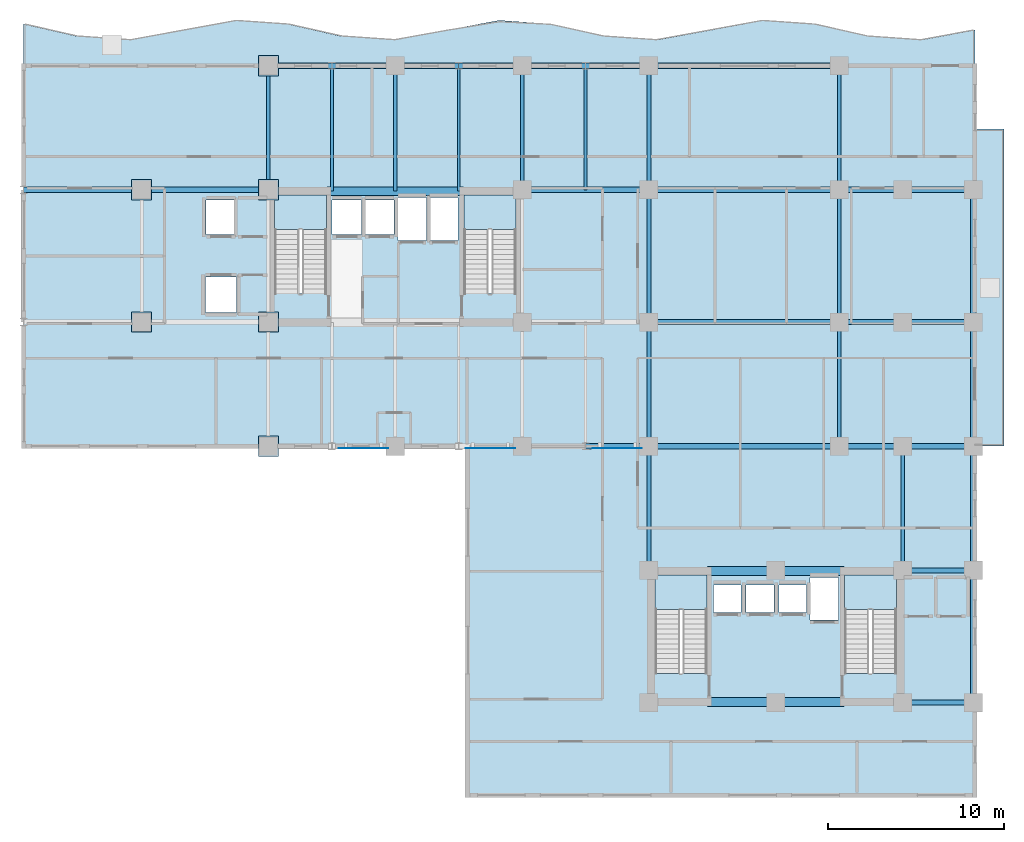
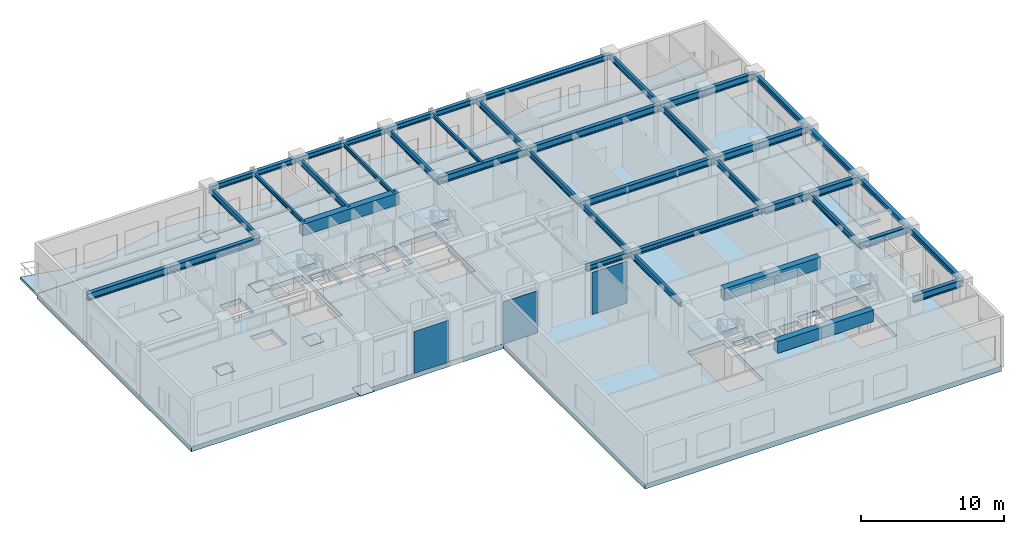
# One storey, part 3 of 14: 43 beams, 9 plates, 7 slabs, 4 elements without a shape of their own.
"""IFC4 building model written with IfcOpenShell, lengths in metres."""

from ifc_helpers import new_model, si_unit, direction, frame, origin, origin_2d, place, context, subcontext, project, spatial, polyline, rectangle, i_section, outline, extrude, source, transform, mapped, material, layer, layer_set, material_profile, profile_set, type_object, element, aggregate, save


model = new_model("IFC4")

# Units and contexts
model_context = context("Model", 3, precision=1e-05, world=origin(), true_north=direction((0.0, 1.0)))
body_context = subcontext(model_context, "Body", "Model", "MODEL_VIEW")
ifc_project = project(units=[si_unit("LENGTHUNIT", "METRE"), si_unit("AREAUNIT", "SQUARE_METRE"), si_unit("VOLUMEUNIT", "CUBIC_METRE"), si_unit("PLANEANGLEUNIT", "RADIAN"), si_unit("MASSUNIT", "GRAM", prefix="KILO")], contexts=[model_context])

# Site, building, storey
site_placement = place(None, origin())
site = spatial("IfcSite", under=ifc_project, at=site_placement, CompositionType="ELEMENT")
building_placement = place(site_placement, origin())
building = spatial("IfcBuilding", under=site, at=building_placement, Name="Kaliganga Portal Commons", CompositionType="ELEMENT")
storey_placement = place(building_placement, frame((0.0, 0.0, 135.60009765625)))
storey = spatial("IfcBuildingStorey", under=building, at=storey_placement, Name="L34", CompositionType="ELEMENT", Elevation=135.60009765625)

# Beams
ifc_material_1 = material(Name="Concrete C50/60", Category="concrete")
ifc_material_profile_1 = material_profile(ifc_material_1, rectangle(XDim=0.5, YDim=1.0, at=origin_2d()), Name="RC 500x1000")
ifc_profile_set_1 = profile_set([ifc_material_profile_1], Name="Concrete C50/60")
beam_type_1 = type_object("IfcBeamType", Name="BM-CPL-1000", PredefinedType="LINTEL", material=ifc_profile_set_1)
shared_shape_1 = source(origin(), body_context, "Body", "SweptSolid", [
    extrude(rectangle(XDim=0.5, YDim=1.0, at=origin_2d()), origin(), (0.0, 0.0, 1.0), 7.739990234375),
])
for number, where, z_axis, x_axis, name in (
    (1, (17.72998046875, 36.074951171875, 3.85986328125), (1.0, 0.0, 0.0), (0.0, 1.0, 0.0), "BM CPL COREA L34 N"),
    (2, (39.330078125, 7.074951171875, 3.85986328125), (1.0, 0.0, 0.0), (0.0, 1.0, 0.0), "BM CPL COREB L34 S"),
    (3, (39.330078125, 14.52490234375, 3.85986328125), (1.0, 0.0, 0.0), (0.0, 1.0, 0.0), "BM CPL COREB L34 N"),
):
    element("IfcBeam", number, at=place(storey_placement, frame(where, z_axis=z_axis, x_axis=x_axis)), inside=storey, type_object=beam_type_1, Name=name, PredefinedType="LINTEL", context=body_context, shape_type="MappedRepresentation", body=[
        mapped(shared_shape_1, transform((0.0, 0.0, 0.0), x_axis=(1.0, 0.0, 0.0), y_axis=(0.0, 1.0, 0.0), z_axis=(0.0, 0.0, 1.0), scale=1.0)),
    ])
ifc_material_2 = material(Name="Structural steel S355J2", Category="steel")
ifc_material_profile_2 = material_profile(ifc_material_2, i_section(OverallWidth=0.199951171875, OverallDepth=0.5, WebThickness=0.01025390625, FlangeThickness=0.01611328125, FilletRadius=0.02099609375, at=origin_2d()), Name="IPE 500")
ifc_profile_set_2 = profile_set([ifc_material_profile_2], Name="Structural steel S355J2 wide-flange")
beam_type_2 = type_object("IfcBeamType", Name="BM-FLR-500", PredefinedType="BEAM", material=ifc_profile_set_2)
shared_shape_2 = source(origin(), body_context, "Body", "SweptSolid", [
    extrude(i_section(OverallWidth=0.199951171875, OverallDepth=0.5, WebThickness=0.01025390625, FlangeThickness=0.01611328125, FilletRadius=0.02099609375, at=origin_2d()), origin(), (0.0, 0.0, 1.0), 7.5),
])
for number, where, z_axis, x_axis, name in (
    (4, (36.0, 28.64990234375, 4.10986328125), (0.0, 1.0, 0.0), (-1.0, 0.0, 0.0), "BM G L34 AM360"),
    (5, (46.800048828125, 28.64990234375, 4.10986328125), (0.0, 1.0, 0.0), (-1.0, 0.0, 0.0), "BM G L34 AM468"),
):
    element("IfcBeam", number, at=place(storey_placement, frame(where, z_axis=z_axis, x_axis=x_axis)), inside=storey, type_object=beam_type_2, Name=name, PredefinedType="BEAM", context=body_context, shape_type="MappedRepresentation", body=[
        mapped(shared_shape_2, transform((0.0, 0.0, 0.0), x_axis=(1.0, 0.0, 0.0), y_axis=(0.0, 1.0, 0.0), z_axis=(0.0, 0.0, 1.0), scale=1.0)),
    ])
shared_shape_3 = source(origin(), body_context, "Body", "SweptSolid", [
    extrude(i_section(OverallWidth=0.199951171875, OverallDepth=0.5, WebThickness=0.01025390625, FlangeThickness=0.01611328125, FilletRadius=0.02099609375, at=origin_2d()), origin(), (0.0, 0.0, 1.0), 7.050048828125),
])
for number, where, z_axis, x_axis, name in (
    (6, (14.39990234375, 36.14990234375, 4.10986328125), (0.0, 1.0, 0.0), (-1.0, 0.0, 0.0), "BM G L34 AN144"),
    (7, (28.800048828125, 36.14990234375, 4.10986328125), (0.0, 1.0, 0.0), (-1.0, 0.0, 0.0), "BM G L34 AN288"),
    (8, (36.0, 36.14990234375, 4.10986328125), (0.0, 1.0, 0.0), (-1.0, 0.0, 0.0), "BM G L34 AN360"),
    (9, (46.800048828125, 36.14990234375, 4.10986328125), (0.0, 1.0, 0.0), (-1.0, 0.0, 0.0), "BM G L34 AN468"),
    (10, (36.0, 14.550048828125, 4.10986328125), (0.0, 1.0, 0.0), (-1.0, 0.0, 0.0), "BM G L34 BNK360"),
    (11, (50.39990234375, 14.550048828125, 4.10986328125), (0.0, 1.0, 0.0), (-1.0, 0.0, 0.0), "BM G L34 BNK504"),
):
    element("IfcBeam", number, at=place(storey_placement, frame(where, z_axis=z_axis, x_axis=x_axis)), inside=storey, type_object=beam_type_2, Name=name, PredefinedType="BEAM", context=body_context, shape_type="MappedRepresentation", body=[
        mapped(shared_shape_3, transform((0.0, 0.0, 0.0), x_axis=(1.0, 0.0, 0.0), y_axis=(0.0, 1.0, 0.0), z_axis=(0.0, 0.0, 1.0), scale=1.0)),
    ])
shared_shape_4 = source(origin(), body_context, "Body", "SweptSolid", [
    extrude(i_section(OverallWidth=0.199951171875, OverallDepth=0.5, WebThickness=0.01025390625, FlangeThickness=0.01611328125, FilletRadius=0.02099609375, at=origin_2d()), origin(), (0.0, 0.0, 1.0), 7.0498046875),
])
for number, where, z_axis, x_axis, name in (
    (12, (36.0, 21.60009765625, 4.10986328125), (0.0, 1.0, 0.0), (-1.0, 0.0, 0.0), "BM G L34 AS360"),
    (13, (46.800048828125, 21.60009765625, 4.10986328125), (0.0, 1.0, 0.0), (-1.0, 0.0, 0.0), "BM G L34 AS468"),
):
    element("IfcBeam", number, at=place(storey_placement, frame(where, z_axis=z_axis, x_axis=x_axis)), inside=storey, type_object=beam_type_2, Name=name, PredefinedType="BEAM", context=body_context, shape_type="MappedRepresentation", body=[
        mapped(shared_shape_4, transform((0.0, 0.0, 0.0), x_axis=(1.0, 0.0, 0.0), y_axis=(0.0, 1.0, 0.0), z_axis=(0.0, 0.0, 1.0), scale=1.0)),
    ])
ifc_material_profile_3 = material_profile(ifc_material_2, i_section(OverallWidth=0.300048828125, OverallDepth=0.449951171875, WebThickness=0.013916015625, FlangeThickness=0.02587890625, FilletRadius=0.027099609375, at=origin_2d()), Name="HE 450 B")
ifc_profile_set_3 = profile_set([ifc_material_profile_3], Name="Structural steel S355J2 wide-flange")
beam_type_3 = type_object("IfcBeamType", Name="BM-SPAND-450", PredefinedType="SPANDREL", material=ifc_profile_set_3)
shared_shape_5 = source(origin(), body_context, "Body", "SweptSolid", [
    extrude(i_section(OverallWidth=0.300048828125, OverallDepth=0.449951171875, WebThickness=0.013916015625, FlangeThickness=0.02587890625, FilletRadius=0.027099609375, at=origin_2d()), origin(), (0.0, 0.0, 1.0), 3.60009765625),
])
for number, where, z_axis, x_axis, name in (
    (14, (14.39990234375, 43.199951171875, 4.135009765625), (1.0, 0.0, 0.0), (0.0, 1.0, 0.0), "BM SP L34 AN 1"),
    (15, (18.0, 43.199951171875, 4.135009765625), (1.0, 0.0, 0.0), (0.0, 1.0, 0.0), "BM SP L34 AN 2"),
    (16, (25.199951171875, 43.199951171875, 4.135009765625), (1.0, 0.0, 0.0), (0.0, 1.0, 0.0), "BM SP L34 AN 4"),
    (17, (32.39990234375, 43.199951171875, 4.135009765625), (1.0, 0.0, 0.0), (0.0, 1.0, 0.0), "BM SP L34 AN 6"),
    (18, (32.39990234375, 21.60009765625, 4.135009765625), (1.0, 0.0, 0.0), (0.0, 1.0, 0.0), "BM SP L34 AS 6"),
):
    element("IfcBeam", number, at=place(storey_placement, frame(where, z_axis=z_axis, x_axis=x_axis)), inside=storey, type_object=beam_type_3, Name=name, PredefinedType="SPANDREL", context=body_context, shape_type="MappedRepresentation", body=[
        mapped(shared_shape_5, transform((0.0, 0.0, 0.0), x_axis=(1.0, 0.0, 0.0), y_axis=(0.0, 1.0, 0.0), z_axis=(0.0, 0.0, 1.0), scale=1.0)),
    ])
shared_shape_6 = source(origin(), body_context, "Body", "SweptSolid", [
    extrude(i_section(OverallWidth=0.300048828125, OverallDepth=0.449951171875, WebThickness=0.013916015625, FlangeThickness=0.02587890625, FilletRadius=0.027099609375, at=origin_2d()), origin(), (0.0, 0.0, 1.0), 3.599853515625),
])
for number, where, z_axis, x_axis, name in (
    (19, (21.60009765625, 43.199951171875, 4.135009765625), (1.0, 0.0, 0.0), (0.0, 1.0, 0.0), "BM SP L34 AN 3"),
    (20, (28.800048828125, 43.199951171875, 4.135009765625), (1.0, 0.0, 0.0), (0.0, 1.0, 0.0), "BM SP L34 AN 5"),
):
    element("IfcBeam", number, at=place(storey_placement, frame(where, z_axis=z_axis, x_axis=x_axis)), inside=storey, type_object=beam_type_3, Name=name, PredefinedType="SPANDREL", context=body_context, shape_type="MappedRepresentation", body=[
        mapped(shared_shape_6, transform((0.0, 0.0, 0.0), x_axis=(1.0, 0.0, 0.0), y_axis=(0.0, 1.0, 0.0), z_axis=(0.0, 0.0, 1.0), scale=1.0)),
    ])
shared_shape_7 = source(origin(), body_context, "Body", "SweptSolid", [
    extrude(i_section(OverallWidth=0.300048828125, OverallDepth=0.449951171875, WebThickness=0.013916015625, FlangeThickness=0.02587890625, FilletRadius=0.027099609375, at=origin_2d()), origin(), (0.0, 0.0, 1.0), 10.800048828125),
])
for number, where, z_axis, x_axis, name in (
    (21, (36.0, 43.199951171875, 4.135009765625), (1.0, 0.0, 0.0), (0.0, 1.0, 0.0), "BM SP L34 AN 7"),
    (22, (36.0, 21.60009765625, 4.135009765625), (1.0, 0.0, 0.0), (0.0, 1.0, 0.0), "BM SP L34 AS 7"),
):
    element("IfcBeam", number, at=place(storey_placement, frame(where, z_axis=z_axis, x_axis=x_axis)), inside=storey, type_object=beam_type_3, Name=name, PredefinedType="SPANDREL", context=body_context, shape_type="MappedRepresentation", body=[
        mapped(shared_shape_7, transform((0.0, 0.0, 0.0), x_axis=(1.0, 0.0, 0.0), y_axis=(0.0, 1.0, 0.0), z_axis=(0.0, 0.0, 1.0), scale=1.0)),
    ])
ifc_material_profile_4 = material_profile(ifc_material_2, i_section(OverallWidth=0.159912109375, OverallDepth=0.330078125, WebThickness=0.007568359375, FlangeThickness=0.011474609375, FilletRadius=0.01806640625, at=origin_2d()), Name="IPE 330")
ifc_profile_set_4 = profile_set([ifc_material_profile_4], Name="Structural steel S355J2 wide-flange")
beam_type_4 = type_object("IfcBeamType", Name="BM-JST-330", PredefinedType="JOIST", material=ifc_profile_set_4)
shared_shape_8 = source(origin(), body_context, "Body", "SweptSolid", [
    extrude(i_section(OverallWidth=0.159912109375, OverallDepth=0.330078125, WebThickness=0.007568359375, FlangeThickness=0.011474609375, FilletRadius=0.01806640625, at=origin_2d()), origin(), (0.0, 0.0, 1.0), 7.050048828125),
])
beam_1_placement = place(storey_placement, frame((32.39990234375, 36.14990234375, 4.19482421875), z_axis=(0.0, 1.0, 0.0), x_axis=(-1.0, 0.0, 0.0)))
element("IfcBeam", 23, at=beam_1_placement, inside=storey, type_object=beam_type_4, Name="BM G L34 AN324", PredefinedType="JOIST", context=body_context, shape_type="MappedRepresentation", body=[
    mapped(shared_shape_8, transform((0.0, 0.0, 0.0), x_axis=(1.0, 0.0, 0.0), y_axis=(0.0, 1.0, 0.0), z_axis=(0.0, 0.0, 1.0), scale=1.0)),
])
shared_shape_9 = source(origin(), body_context, "Body", "SweptSolid", [
    extrude(i_section(OverallWidth=0.300048828125, OverallDepth=0.449951171875, WebThickness=0.013916015625, FlangeThickness=0.02587890625, FilletRadius=0.027099609375, at=origin_2d()), origin(), (0.0, 0.0, 1.0), 7.5),
])
for number, where, z_axis, x_axis, name in (
    (24, (54.39990234375, 7.050048828125, 4.135009765625), (0.0, 1.0, 0.0), (-1.0, 0.0, 0.0), "BM SP L34 BE 1"),
    (25, (54.39990234375, 28.64990234375, 4.135009765625), (0.0, 1.0, 0.0), (-1.0, 0.0, 0.0), "BM SP L34 BE 4"),
):
    element("IfcBeam", number, at=place(storey_placement, frame(where, z_axis=z_axis, x_axis=x_axis)), inside=storey, type_object=beam_type_3, Name=name, PredefinedType="SPANDREL", context=body_context, shape_type="MappedRepresentation", body=[
        mapped(shared_shape_9, transform((0.0, 0.0, 0.0), x_axis=(1.0, 0.0, 0.0), y_axis=(0.0, 1.0, 0.0), z_axis=(0.0, 0.0, 1.0), scale=1.0)),
    ])
shared_shape_10 = source(origin(), body_context, "Body", "SweptSolid", [
    extrude(i_section(OverallWidth=0.300048828125, OverallDepth=0.449951171875, WebThickness=0.013916015625, FlangeThickness=0.02587890625, FilletRadius=0.027099609375, at=origin_2d()), origin(), (0.0, 0.0, 1.0), 7.050048828125),
])
beam_2_placement = place(storey_placement, frame((54.39990234375, 14.550048828125, 4.135009765625), z_axis=(0.0, 1.0, 0.0), x_axis=(-1.0, 0.0, 0.0)))
element("IfcBeam", 26, at=beam_2_placement, inside=storey, type_object=beam_type_3, Name="BM SP L34 BE 2", PredefinedType="SPANDREL", context=body_context, shape_type="MappedRepresentation", body=[
    mapped(shared_shape_10, transform((0.0, 0.0, 0.0), x_axis=(1.0, 0.0, 0.0), y_axis=(0.0, 1.0, 0.0), z_axis=(0.0, 0.0, 1.0), scale=1.0)),
])
shared_shape_11 = source(origin(), body_context, "Body", "SweptSolid", [
    extrude(i_section(OverallWidth=0.300048828125, OverallDepth=0.449951171875, WebThickness=0.013916015625, FlangeThickness=0.02587890625, FilletRadius=0.027099609375, at=origin_2d()), origin(), (0.0, 0.0, 1.0), 7.0498046875),
])
beam_3_placement = place(storey_placement, frame((54.39990234375, 21.60009765625, 4.135009765625), z_axis=(0.0, 1.0, 0.0), x_axis=(-1.0, 0.0, 0.0)))
element("IfcBeam", 27, at=beam_3_placement, inside=storey, type_object=beam_type_3, Name="BM SP L34 BE 3", PredefinedType="SPANDREL", context=body_context, shape_type="MappedRepresentation", body=[
    mapped(shared_shape_11, transform((0.0, 0.0, 0.0), x_axis=(1.0, 0.0, 0.0), y_axis=(0.0, 1.0, 0.0), z_axis=(0.0, 0.0, 1.0), scale=1.0)),
])
ifc_material_profile_5 = material_profile(ifc_material_2, i_section(OverallWidth=0.300048828125, OverallDepth=0.60009765625, WebThickness=0.015380859375, FlangeThickness=0.030029296875, FilletRadius=0.027099609375, at=origin_2d()), Name="HE 600 B")
ifc_profile_set_5 = profile_set([ifc_material_profile_5], Name="Structural steel S355J2 wide-flange")
beam_type_5 = type_object("IfcBeamType", Name="BM-GIRD-600", PredefinedType="USERDEFINED", material=ifc_profile_set_5)
shared_shape_12 = source(origin(), body_context, "Body", "SweptSolid", [
    extrude(i_section(OverallWidth=0.300048828125, OverallDepth=0.60009765625, WebThickness=0.015380859375, FlangeThickness=0.030029296875, FilletRadius=0.027099609375, at=origin_2d()), origin(), (0.0, 0.0, 1.0), 6.699951171875),
])
beam_4_placement = place(storey_placement, frame((0.5, 36.14990234375, 4.059814453125), z_axis=(1.0, 0.0, 0.0), x_axis=(0.0, 1.0, 0.0)))
element("IfcBeam", 28, at=beam_4_placement, inside=storey, type_object=beam_type_5, Name="BM G L34 WAH_N 1", ObjectType="GIRDER", PredefinedType="USERDEFINED", context=body_context, shape_type="MappedRepresentation", body=[
    mapped(shared_shape_12, transform((0.0, 0.0, 0.0), x_axis=(1.0, 0.0, 0.0), y_axis=(0.0, 1.0, 0.0), z_axis=(0.0, 0.0, 1.0), scale=1.0)),
])
shared_shape_13 = source(origin(), body_context, "Body", "SweptSolid", [
    extrude(i_section(OverallWidth=0.300048828125, OverallDepth=0.60009765625, WebThickness=0.015380859375, FlangeThickness=0.030029296875, FilletRadius=0.027099609375, at=origin_2d()), origin(), (0.0, 0.0, 1.0), 7.199951171875),
])
for number, where, z_axis, x_axis, name in (
    (29, (7.199951171875, 36.14990234375, 4.059814453125), (1.0, 0.0, 0.0), (0.0, 1.0, 0.0), "BM G L34 WAH_N 2"),
    (30, (28.800048828125, 36.14990234375, 4.059814453125), (1.0, 0.0, 0.0), (0.0, 1.0, 0.0), "BM G L34 WAE_N 1"),
):
    element("IfcBeam", number, at=place(storey_placement, frame(where, z_axis=z_axis, x_axis=x_axis)), inside=storey, type_object=beam_type_5, Name=name, ObjectType="GIRDER", PredefinedType="USERDEFINED", context=body_context, shape_type="MappedRepresentation", body=[
        mapped(shared_shape_13, transform((0.0, 0.0, 0.0), x_axis=(1.0, 0.0, 0.0), y_axis=(0.0, 1.0, 0.0), z_axis=(0.0, 0.0, 1.0), scale=1.0)),
    ])
shared_shape_14 = source(origin(), body_context, "Body", "SweptSolid", [
    extrude(i_section(OverallWidth=0.300048828125, OverallDepth=0.60009765625, WebThickness=0.015380859375, FlangeThickness=0.030029296875, FilletRadius=0.027099609375, at=origin_2d()), origin(), (0.0, 0.0, 1.0), 10.800048828125),
])
for number, where, z_axis, x_axis, name in (
    (31, (36.0, 28.64990234375, 4.059814453125), (1.0, 0.0, 0.0), (0.0, 1.0, 0.0), "BM G L34 WAE_S 2"),
    (32, (36.0, 36.14990234375, 4.059814453125), (1.0, 0.0, 0.0), (0.0, 1.0, 0.0), "BM G L34 WAE_N 2"),
):
    element("IfcBeam", number, at=place(storey_placement, frame(where, z_axis=z_axis, x_axis=x_axis)), inside=storey, type_object=beam_type_5, Name=name, ObjectType="GIRDER", PredefinedType="USERDEFINED", context=body_context, shape_type="MappedRepresentation", body=[
        mapped(shared_shape_14, transform((0.0, 0.0, 0.0), x_axis=(1.0, 0.0, 0.0), y_axis=(0.0, 1.0, 0.0), z_axis=(0.0, 0.0, 1.0), scale=1.0)),
    ])
shared_shape_15 = source(origin(), body_context, "Body", "SweptSolid", [
    extrude(i_section(OverallWidth=0.159912109375, OverallDepth=0.330078125, WebThickness=0.007568359375, FlangeThickness=0.011474609375, FilletRadius=0.01806640625, at=origin_2d()), origin(), (0.0, 0.0, 1.0), 7.125),
])
for number, where, z_axis, x_axis, name in (
    (33, (18.0, 36.074951171875, 4.19482421875), (0.0, 1.0, 0.0), (-1.0, 0.0, 0.0), "BM G L34 AN180"),
    (34, (25.199951171875, 36.074951171875, 4.19482421875), (0.0, 1.0, 0.0), (-1.0, 0.0, 0.0), "BM G L34 AN252"),
):
    element("IfcBeam", number, at=place(storey_placement, frame(where, z_axis=z_axis, x_axis=x_axis)), inside=storey, type_object=beam_type_4, Name=name, PredefinedType="JOIST", context=body_context, shape_type="MappedRepresentation", body=[
        mapped(shared_shape_15, transform((0.0, 0.0, 0.0), x_axis=(1.0, 0.0, 0.0), y_axis=(0.0, 1.0, 0.0), z_axis=(0.0, 0.0, 1.0), scale=1.0)),
    ])
shared_shape_16 = source(origin(), body_context, "Body", "SweptSolid", [
    extrude(i_section(OverallWidth=0.199951171875, OverallDepth=0.5, WebThickness=0.01025390625, FlangeThickness=0.01611328125, FilletRadius=0.02099609375, at=origin_2d()), origin(), (0.0, 0.0, 1.0), 7.125),
])
beam_5_placement = place(storey_placement, frame((21.60009765625, 36.074951171875, 4.10986328125), z_axis=(0.0, 1.0, 0.0), x_axis=(-1.0, 0.0, 0.0)))
element("IfcBeam", 35, at=beam_5_placement, inside=storey, type_object=beam_type_2, Name="BM G L34 AN216", PredefinedType="BEAM", context=body_context, shape_type="MappedRepresentation", body=[
    mapped(shared_shape_16, transform((0.0, 0.0, 0.0), x_axis=(1.0, 0.0, 0.0), y_axis=(0.0, 1.0, 0.0), z_axis=(0.0, 0.0, 1.0), scale=1.0)),
])
shared_shape_17 = source(origin(), body_context, "Body", "SweptSolid", [
    extrude(i_section(OverallWidth=0.300048828125, OverallDepth=0.60009765625, WebThickness=0.015380859375, FlangeThickness=0.030029296875, FilletRadius=0.027099609375, at=origin_2d()), origin(), (0.0, 0.0, 1.0), 4.0),
])
for number, where, z_axis, x_axis, name in (
    (36, (50.39990234375, 7.050048828125, 4.059814453125), (1.0, 0.0, 0.0), (0.0, 1.0, 0.0), "BM G L34 BKE70 1"),
    (37, (50.39990234375, 14.550048828125, 4.059814453125), (1.0, 0.0, 0.0), (0.0, 1.0, 0.0), "BM G L34 BKE146 1"),
    (38, (50.39990234375, 21.60009765625, 4.059814453125), (1.0, 0.0, 0.0), (0.0, 1.0, 0.0), "BM G L34 BKE216 2"),
    (39, (50.39990234375, 28.64990234375, 4.059814453125), (1.0, 0.0, 0.0), (0.0, 1.0, 0.0), "BM G L34 BKE286 2"),
    (40, (50.39990234375, 36.14990234375, 4.059814453125), (1.0, 0.0, 0.0), (0.0, 1.0, 0.0), "BM G L34 BKE362 2"),
):
    element("IfcBeam", number, at=place(storey_placement, frame(where, z_axis=z_axis, x_axis=x_axis)), inside=storey, type_object=beam_type_5, Name=name, ObjectType="GIRDER", PredefinedType="USERDEFINED", context=body_context, shape_type="MappedRepresentation", body=[
        mapped(shared_shape_17, transform((0.0, 0.0, 0.0), x_axis=(1.0, 0.0, 0.0), y_axis=(0.0, 1.0, 0.0), z_axis=(0.0, 0.0, 1.0), scale=1.0)),
    ])
shared_shape_18 = source(origin(), body_context, "Body", "SweptSolid", [
    extrude(i_section(OverallWidth=0.300048828125, OverallDepth=0.60009765625, WebThickness=0.015380859375, FlangeThickness=0.030029296875, FilletRadius=0.027099609375, at=origin_2d()), origin(), (0.0, 0.0, 1.0), 3.599853515625),
])
for number, where, z_axis, x_axis, name in (
    (41, (46.800048828125, 21.60009765625, 4.059814453125), (1.0, 0.0, 0.0), (0.0, 1.0, 0.0), "BM G L34 BKE216 1"),
    (42, (46.800048828125, 28.64990234375, 4.059814453125), (1.0, 0.0, 0.0), (0.0, 1.0, 0.0), "BM G L34 BKE286 1"),
    (43, (46.800048828125, 36.14990234375, 4.059814453125), (1.0, 0.0, 0.0), (0.0, 1.0, 0.0), "BM G L34 BKE362 1"),
):
    element("IfcBeam", number, at=place(storey_placement, frame(where, z_axis=z_axis, x_axis=x_axis)), inside=storey, type_object=beam_type_5, Name=name, ObjectType="GIRDER", PredefinedType="USERDEFINED", context=body_context, shape_type="MappedRepresentation", body=[
        mapped(shared_shape_18, transform((0.0, 0.0, 0.0), x_axis=(1.0, 0.0, 0.0), y_axis=(0.0, 1.0, 0.0), z_axis=(0.0, 0.0, 1.0), scale=1.0)),
    ])

# Slab
ifc_material_3 = material(Name="Concrete C40/50", Category="concrete")
ifc_layer_1 = layer(ifc_material_3, 0.2099609375)
ifc_layer_set_1 = layer_set([ifc_layer_1], Name="Concrete C40/50")
slab_type_1 = type_object("IfcSlabType", Name="SLB-BALC-210", PredefinedType="FLOOR", material=ifc_layer_set_1)
slab_1_placement = place(storey_placement, frame((0.0, 0.0, -0.210205078125)))
element("IfcSlab", 44, at=slab_1_placement, inside=storey, type_object=slab_type_1, Name="Scalloped Tree-Planter Balcony Slab L34 balc_north", PredefinedType="FLOOR", context=body_context, shape_type="SweptSolid", body=[
    extrude(outline(polyline([(54.5, 43.199951171875), (54.5, 45.221435546875), (51.5, 44.671142578125), (48.5, 44.88134765625), (45.5, 45.5615234375), (42.5, 45.771728515625), (39.5, 45.221435546875), (36.5, 44.671142578125), (33.5, 44.88134765625), (30.5, 45.5615234375), (27.5, 45.771728515625), (24.5, 45.221435546875), (21.5, 44.671142578125), (18.5, 44.88134765625), (15.5, 45.5615234375), (12.5, 45.771728515625), (9.5, 45.221435546875), (6.5, 44.671142578125), (3.5, 44.88134765625), (0.5, 45.5615234375), (0.5, 43.199951171875), (54.5, 43.199951171875)])), origin(), (0.0, 0.0, 1.0), 0.210205078125),
])

# Stair, slab
stair_type = type_object("IfcStairType", Name="ST-CORE-DOGLEG", PredefinedType="HALF_TURN_STAIR", material=ifc_material_3)
stair_1_placement = place(storey_placement, origin())
stair_1 = element("IfcStair", 45, at=stair_1_placement, inside=storey, type_object=stair_type, Name="L34 Protected Exit Stair ST-A1", PredefinedType="HALF_TURN_STAIR")
ifc_layer_2 = layer(ifc_material_3, 0.199951171875)
ifc_layer_set_2 = layer_set([ifc_layer_2], Name="Concrete C40/50")
slab_type_2 = type_object("IfcSlabType", Name="SLB-STAIR-LND", PredefinedType="LANDING", material=ifc_layer_set_2)
slab_2_placement = place(storey_placement, frame((0.0, 0.0, 2.099853515625)))
slab_2 = element("IfcSlab", 46, at=slab_2_placement, type_object=slab_type_2, Name="ST-A1 landing 1", PredefinedType="LANDING", context=body_context, shape_type="SweptSolid", body=[
    extrude(outline(polyline([(17.699951171875, 33.889892578125), (17.699951171875, 35.85009765625), (14.75, 35.85009765625), (14.75, 33.889892578125), (17.699951171875, 33.889892578125)])), origin(), (0.0, 0.0, 1.0), 0.199951171875),
])
aggregate(stair_1, [slab_2])

stair_2_placement = place(storey_placement, origin())
stair_2 = element("IfcStair", 47, at=stair_2_placement, inside=storey, type_object=stair_type, Name="L34 Protected Exit Stair ST-A2", PredefinedType="HALF_TURN_STAIR")
slab_3_placement = place(storey_placement, frame((0.0, 0.0, 2.099853515625)))
slab_3 = element("IfcSlab", 48, at=slab_3_placement, type_object=slab_type_2, Name="ST-A2 landing 1", PredefinedType="LANDING", context=body_context, shape_type="SweptSolid", body=[
    extrude(outline(polyline([(28.449951171875, 33.889892578125), (28.449951171875, 35.85009765625), (25.5, 35.85009765625), (25.5, 33.889892578125), (28.449951171875, 33.889892578125)])), origin(), (0.0, 0.0, 1.0), 0.199951171875),
])
aggregate(stair_2, [slab_3])

stair_3_placement = place(storey_placement, origin())
stair_3 = element("IfcStair", 49, at=stair_3_placement, inside=storey, type_object=stair_type, Name="L34 Protected Exit Stair ST-B1", PredefinedType="HALF_TURN_STAIR")
slab_4_placement = place(storey_placement, frame((0.0, 0.0, 2.099853515625)))
slab_4 = element("IfcSlab", 50, at=slab_4_placement, type_object=slab_type_2, Name="ST-B1 landing 1", PredefinedType="LANDING", context=body_context, shape_type="SweptSolid", body=[
    extrude(outline(polyline([(39.300048828125, 12.340087890625), (39.300048828125, 14.300048828125), (36.35009765625, 14.300048828125), (36.35009765625, 12.340087890625), (39.300048828125, 12.340087890625)])), origin(), (0.0, 0.0, 1.0), 0.199951171875),
])
aggregate(stair_3, [slab_4])

stair_4_placement = place(storey_placement, origin())
stair_4 = element("IfcStair", 51, at=stair_4_placement, inside=storey, type_object=stair_type, Name="L34 Protected Exit Stair ST-B2", PredefinedType="HALF_TURN_STAIR")
slab_5_placement = place(storey_placement, frame((0.0, 0.0, 2.099853515625)))
slab_5 = element("IfcSlab", 52, at=slab_5_placement, type_object=slab_type_2, Name="ST-B2 landing 1", PredefinedType="LANDING", context=body_context, shape_type="SweptSolid", body=[
    extrude(outline(polyline([(50.050048828125, 12.340087890625), (50.050048828125, 14.300048828125), (47.10009765625, 14.300048828125), (47.10009765625, 12.340087890625), (50.050048828125, 12.340087890625)])), origin(), (0.0, 0.0, 1.0), 0.199951171875),
])
aggregate(stair_4, [slab_5])

# Slabs
ifc_layer_3 = layer(ifc_material_3, 0.219970703125)
ifc_layer_set_3 = layer_set([ifc_layer_3], Name="Concrete C40/50")
slab_type_3 = type_object("IfcSlabType", Name="SLB-TERR-220", PredefinedType="FLOOR", material=ifc_layer_set_3)
slab_6_placement = place(storey_placement, frame((0.0, 0.0, -0.22021484375)))
element("IfcSlab", 53, at=slab_6_placement, inside=storey, type_object=slab_type_3, Name="Main Sky Lobby Cantilevered Lounge Deck", PredefinedType="FLOOR", context=body_context, shape_type="SweptSolid", body=[
    extrude(outline(polyline([(54.5, 21.60009765625), (56.14990234375, 21.60009765625), (56.14990234375, 39.60009765625), (54.5, 39.60009765625), (54.5, 21.60009765625)])), origin(), (0.0, 0.0, 1.0), 0.22021484375),
])
ifc_material_4 = material(Name="Concrete C60/75", Category="concrete")
ifc_layer_4 = layer(ifc_material_4, 0.419921875)
ifc_layer_set_4 = layer_set([ifc_layer_4], Name="Concrete C60/75")
slab_type_4 = type_object("IfcSlabType", Name="SLB-XFER-420", PredefinedType="FLOOR", material=ifc_layer_set_4)
slab_7_placement = place(storey_placement, frame((0.0, 0.0, -0.420166015625)))
element("IfcSlab", 54, at=slab_7_placement, inside=storey, type_object=slab_type_4, Name="Structural Floor Slab L34", PredefinedType="FLOOR", context=body_context, shape_type="SweptSolid", body=[
    extrude(outline(polyline([(25.699951171875, 1.800048828125), (54.5, 1.800048828125), (54.5, 43.199951171875), (0.5, 43.199951171875), (0.5, 21.60009765625), (25.699951171875, 21.60009765625), (25.699951171875, 1.800048828125)]), holes=[polyline([(14.75, 30.25390625), (14.75, 35.85009765625), (17.699951171875, 35.85009765625), (17.699951171875, 30.25390625), (14.75, 30.25390625)]), polyline([(25.5, 30.25390625), (25.5, 35.85009765625), (28.449951171875, 35.85009765625), (28.449951171875, 30.25390625), (25.5, 30.25390625)]), polyline([(36.35009765625, 8.7041015625), (36.35009765625, 14.300048828125), (39.300048828125, 14.300048828125), (39.300048828125, 8.7041015625), (36.35009765625, 8.7041015625)]), polyline([(47.10009765625, 8.7041015625), (47.10009765625, 14.300048828125), (50.050048828125, 14.300048828125), (50.050048828125, 8.7041015625), (47.10009765625, 8.7041015625)]), polyline([(18.014892578125, 33.614990234375), (18.014892578125, 35.5849609375), (19.68505859375, 35.5849609375), (19.68505859375, 33.614990234375), (18.014892578125, 33.614990234375)]), polyline([(19.864990234375, 33.614990234375), (19.864990234375, 35.5849609375), (21.534912109375, 35.5849609375), (21.534912109375, 33.614990234375), (19.864990234375, 33.614990234375)]), polyline([(10.81494140625, 29.18994140625), (10.81494140625, 31.2099609375), (12.5849609375, 31.2099609375), (12.5849609375, 29.18994140625), (10.81494140625, 29.18994140625)]), polyline([(10.864990234375, 33.614990234375), (10.864990234375, 35.5849609375), (12.534912109375, 35.5849609375), (12.534912109375, 33.614990234375), (10.864990234375, 33.614990234375)]), polyline([(21.739990234375, 33.2900390625), (21.739990234375, 35.7099609375), (23.360107421875, 35.7099609375), (23.360107421875, 33.2900390625), (21.739990234375, 33.2900390625)]), polyline([(23.5400390625, 33.2900390625), (23.5400390625, 35.7099609375), (25.159912109375, 35.7099609375), (25.159912109375, 33.2900390625), (23.5400390625, 33.2900390625)]), polyline([(39.6650390625, 12.1650390625), (39.6650390625, 13.735107421875), (41.235107421875, 13.735107421875), (41.235107421875, 12.1650390625), (39.6650390625, 12.1650390625)]), polyline([(41.514892578125, 12.1650390625), (41.514892578125, 13.735107421875), (43.0849609375, 13.735107421875), (43.0849609375, 12.1650390625), (41.514892578125, 12.1650390625)]), polyline([(43.364990234375, 12.1650390625), (43.364990234375, 13.735107421875), (44.93505859375, 13.735107421875), (44.93505859375, 12.1650390625), (43.364990234375, 12.1650390625)]), polyline([(45.139892578125, 11.739990234375), (45.139892578125, 14.159912109375), (46.760009765625, 14.159912109375), (46.760009765625, 11.739990234375), (45.139892578125, 11.739990234375)])]), origin(), (0.0, 0.0, 1.0), 0.420166015625),
])

# Plates
ifc_layer_5 = layer(ifc_material_2, 0.02490234375)
ifc_layer_set_5 = layer_set([ifc_layer_5], Name="Structural steel S355J2")
plate_type_1 = type_object("IfcPlateType", Name="PLT-SPLICE-25", PredefinedType="SHEET", material=ifc_layer_set_5)
shared_shape_19 = source(origin(), body_context, "Body", "SweptSolid", [
    extrude(rectangle(XDim=1.14990234375, YDim=1.14990234375, at=origin_2d()), origin(), (0.0, 0.0, 1.0), 0.02490234375),
])
for number, where, z_axis, x_axis, name in (
    (55, (7.199951171875, 28.64990234375, 0.012451171875), (0.0, 0.0, 1.0), (1.0, 0.0, 0.0), "Column Splice Plate SPL-MCA-01"),
    (56, (7.199951171875, 36.14990234375, 0.012451171875), (0.0, 0.0, 1.0), (1.0, 0.0, 0.0), "Column Splice Plate SPL-MCA-02"),
    (57, (14.39990234375, 21.60009765625, 0.012451171875), (0.0, 0.0, 1.0), (1.0, 0.0, 0.0), "Column Splice Plate SPL-MCA-03"),
    (58, (14.39990234375, 28.64990234375, 0.012451171875), (0.0, 0.0, 1.0), (1.0, 0.0, 0.0), "Column Splice Plate SPL-MCA-04"),
    (59, (14.39990234375, 36.14990234375, 0.012451171875), (0.0, 0.0, 1.0), (1.0, 0.0, 0.0), "Column Splice Plate SPL-MCA-05"),
    (60, (14.39990234375, 43.199951171875, 0.012451171875), (0.0, 0.0, 1.0), (1.0, 0.0, 0.0), "Column Splice Plate SPL-MCA-06"),
):
    element("IfcPlate", number, at=place(storey_placement, frame(where, z_axis=z_axis, x_axis=x_axis)), inside=storey, type_object=plate_type_1, Name=name, PredefinedType="SHEET", context=body_context, shape_type="MappedRepresentation", body=[
        mapped(shared_shape_19, transform((0.0, 0.0, 0.0), x_axis=(1.0, 0.0, 0.0), y_axis=(0.0, 1.0, 0.0), z_axis=(0.0, 0.0, 1.0), scale=1.0)),
    ])
ifc_material_5 = material(Name="Perforated Bronze-Anodized Aluminium Solar Screen", Category="aluminium")
ifc_layer_6 = layer(ifc_material_5, 0.01806640625)
ifc_layer_set_6 = layer_set([ifc_layer_6], Name="Perforated Bronze-Anodized Aluminium Solar Screen")
plate_type_2 = type_object("IfcPlateType", Name="PLT-SCR-18", PredefinedType="USERDEFINED", material=ifc_layer_set_6)
shared_shape_20 = source(origin(), body_context, "Body", "SweptSolid", [
    extrude(rectangle(XDim=2.800048828125, YDim=0.01806640625, at=origin_2d()), origin(), (0.0, 0.0, 1.0), 3.590087890625),
])
for number, where, z_axis, x_axis, name in (
    (61, (19.800048828125, 21.47998046875, 0.080078125), (0.0, 0.0, 1.0), (1.0, 0.0, 0.0), "Perforated Solar Screen L34-S1"),
    (62, (27.0, 21.47998046875, 0.080078125), (0.0, 0.0, 1.0), (1.0, 0.0, 0.0), "Perforated Solar Screen L34-S2"),
    (63, (34.199951171875, 21.47998046875, 0.080078125), (0.0, 0.0, 1.0), (1.0, 0.0, 0.0), "Perforated Solar Screen L34-S3"),
):
    element("IfcPlate", number, at=place(storey_placement, frame(where, z_axis=z_axis, x_axis=x_axis)), inside=storey, type_object=plate_type_2, Name=name, ObjectType="SOLAR SCREEN", PredefinedType="USERDEFINED", context=body_context, shape_type="MappedRepresentation", body=[
        mapped(shared_shape_20, transform((0.0, 0.0, 0.0), x_axis=(1.0, 0.0, 0.0), y_axis=(0.0, 1.0, 0.0), z_axis=(0.0, 0.0, 1.0), scale=1.0)),
    ])

save(model, "model.ifc")
